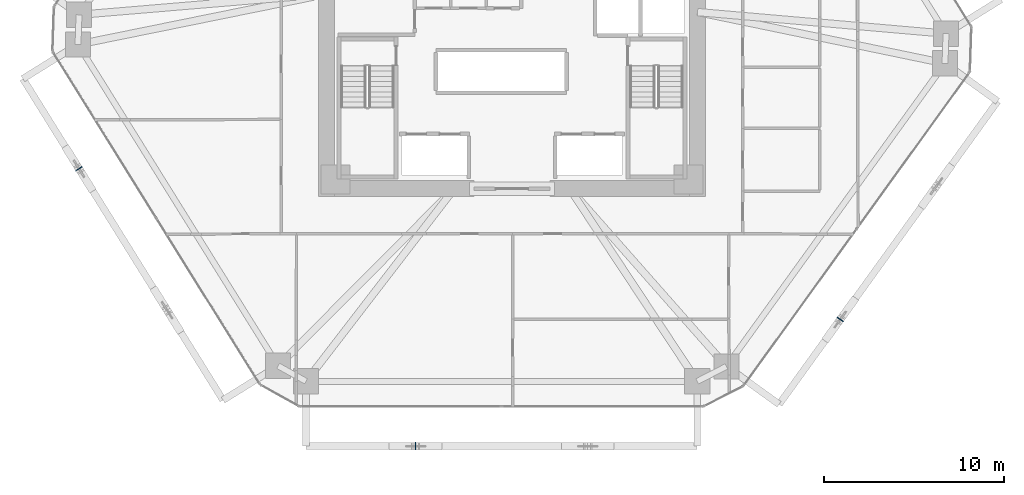
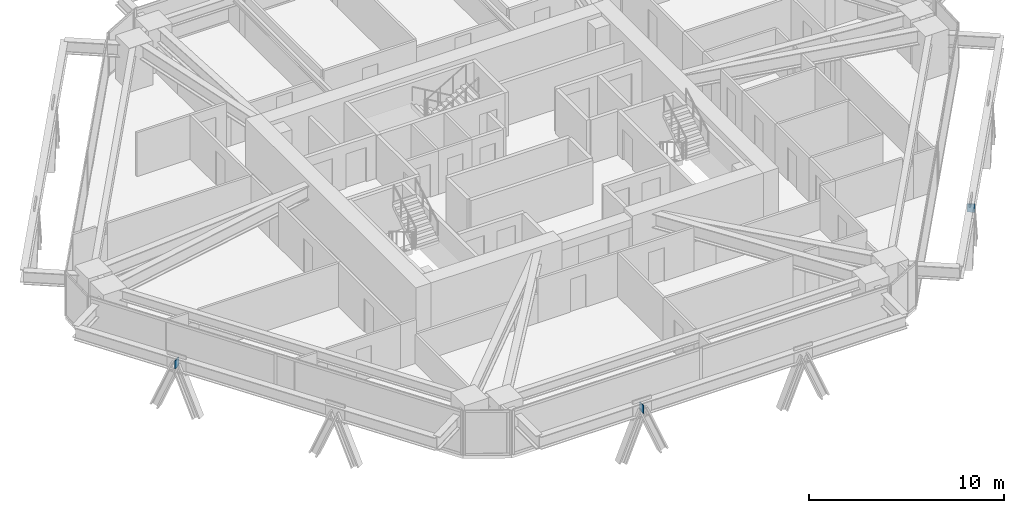
# One storey, part 11 of 18: 3 plates.
"""IFC4 building model written with IfcOpenShell, lengths in metres."""

from ifc_helpers import new_model, si_unit, direction, frame, origin, origin_2d, place, context, subcontext, project, spatial, rectangle, extrude, source, transform, mapped, material, layer, layer_set, type_object, type_shapes, element, save


model = new_model("IFC4")

# Units and contexts
model_context = context("Model", 3, precision=1e-05, world=origin(), true_north=direction((0.0, 1.0)))
body_context = subcontext(model_context, "Body", "Model", "MODEL_VIEW")
ifc_project = project(units=[si_unit("LENGTHUNIT", "METRE"), si_unit("AREAUNIT", "SQUARE_METRE"), si_unit("VOLUMEUNIT", "CUBIC_METRE"), si_unit("PLANEANGLEUNIT", "RADIAN"), si_unit("MASSUNIT", "GRAM", prefix="KILO")], contexts=[model_context])

# Site, building, storey
site_placement = place(None, origin())
site = spatial("IfcSite", under=ifc_project, at=site_placement, CompositionType="ELEMENT")
building_placement = place(site_placement, origin())
building = spatial("IfcBuilding", under=site, at=building_placement, Name="Durnholm Broadcast Tower", CompositionType="ELEMENT")
storey_placement = place(building_placement, frame((0.0, 0.0, 78.300048828125)))
storey = spatial("IfcBuildingStorey", under=building, at=storey_placement, Name="L20", CompositionType="ELEMENT", Elevation=78.300048828125)

# Plates
ifc_material = material(Name="Steel ASTM A572 Grade 50", Category="steel")
ifc_layer = layer(ifc_material, 0.044921875)
ifc_layer_set = layer_set([ifc_layer], Name="Steel ASTM A572 Grade 50")
plate_type = type_object("IfcPlateType", Name="PLT-KN-STIF", PredefinedType="SHEET", material=ifc_layer_set)
shared_shape = source(origin(), body_context, "Body", "SweptSolid", [
    extrude(rectangle(XDim=0.044921875, YDim=0.419921875, at=origin_2d()), origin(), (0.0, 0.0, 1.0), 0.52001953125),
])
type_shapes(plate_type, [shared_shape])
for number, where, z_axis, x_axis, name in (
    (1, (-5.351318359375, -22.60009765625, 1.74853515625), (0.0, 0.0, 1.0), (1.0, 0.0, 0.0), "L20 welded diagrid node stiffener plate F1"),
    (2, (18.223388671875, -15.56396484375, 1.74853515625), (0.0, 0.0, 1.0), (0.584816108738, 0.81116590101, 0.0), "L20 welded diagrid node stiffener plate F2"),
    (3, (-24.036376953125, -7.197509765625, 1.74853515625), (0.0, 0.0, 1.0), (0.528586500185, -0.848879444811, 0.0), "L20 welded diagrid node stiffener plate F6"),
):
    element("IfcPlate", number, at=place(storey_placement, frame(where, z_axis=z_axis, x_axis=x_axis)), inside=storey, type_object=plate_type, Name=name, PredefinedType="SHEET", context=body_context, shape_type="MappedRepresentation", body=[
        mapped(shared_shape, transform((0.0, 0.0, 0.0), x_axis=(1.0, 0.0, 0.0), y_axis=(0.0, 1.0, 0.0), z_axis=(0.0, 0.0, 1.0), scale=1.0)),
    ])

save(model, "model.ifc")
